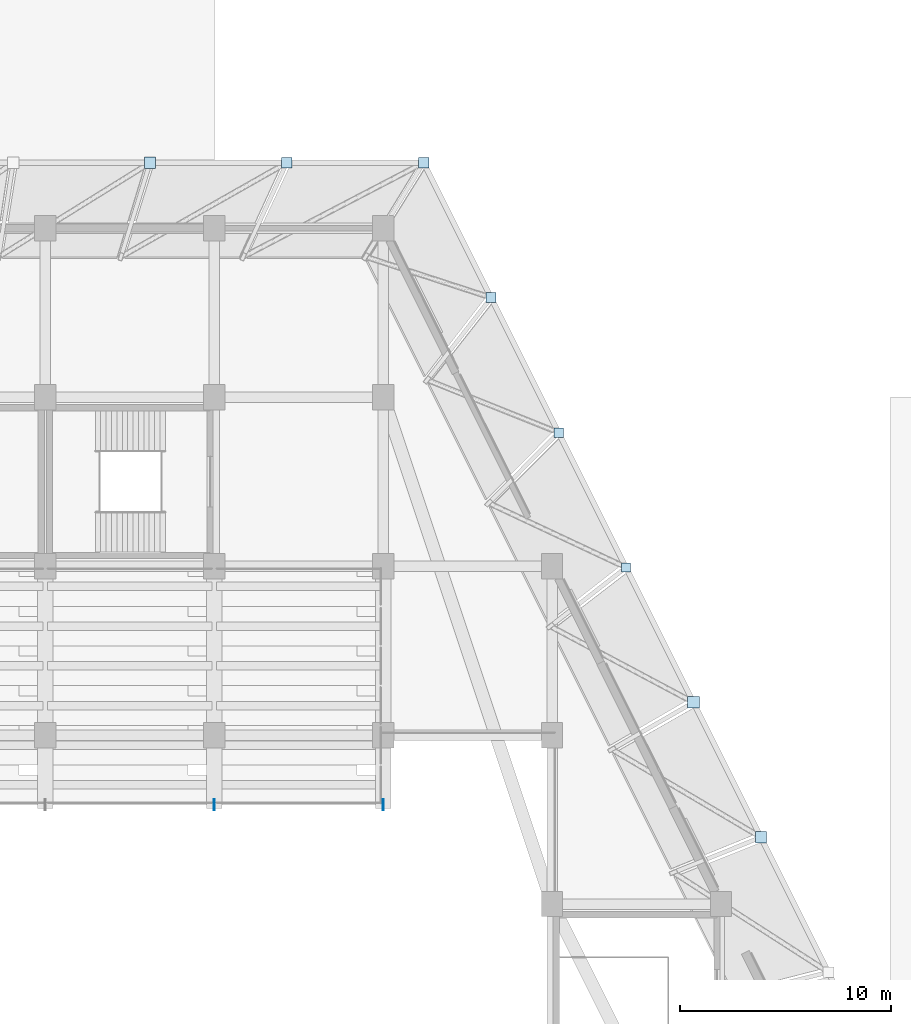
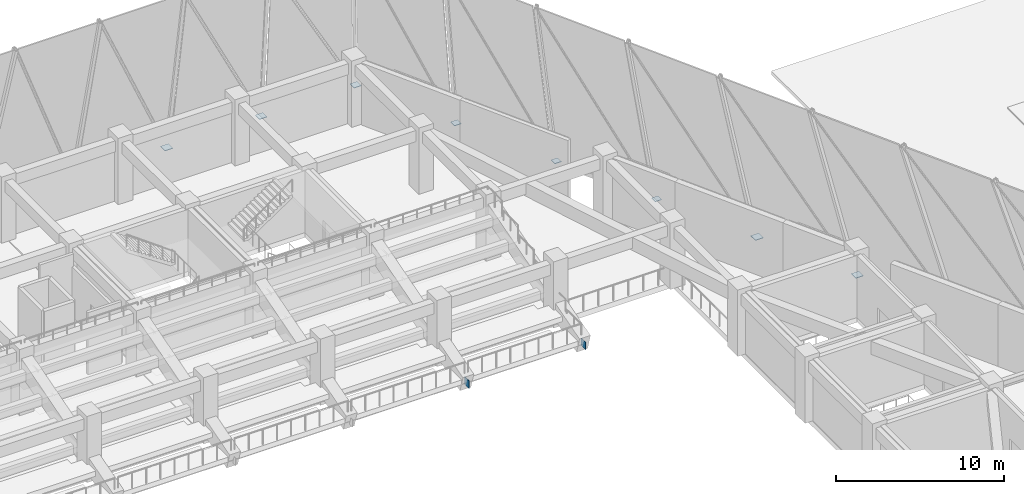
# One storey, part 14 of 24: 10 plates.
"""IFC4 building model written with IfcOpenShell, lengths in metres."""

from ifc_helpers import new_model, si_unit, direction, frame, origin, origin_2d, place, context, subcontext, project, spatial, rectangle, extrude, material, layer, layer_set, type_object, element, save


model = new_model("IFC4")

# Units and contexts
model_context = context("Model", 3, precision=1e-05, world=origin(), true_north=direction((0.0, 1.0)))
body_context = subcontext(model_context, "Body", "Model", "MODEL_VIEW")
ifc_project = project(units=[si_unit("LENGTHUNIT", "METRE"), si_unit("AREAUNIT", "SQUARE_METRE"), si_unit("VOLUMEUNIT", "CUBIC_METRE"), si_unit("PLANEANGLEUNIT", "RADIAN"), si_unit("MASSUNIT", "GRAM", prefix="KILO")], contexts=[model_context])

# Site, building, storey
site_placement = place(None, origin())
site = spatial("IfcSite", under=ifc_project, at=site_placement, CompositionType="ELEMENT")
building_placement = place(site_placement, origin())
building = spatial("IfcBuilding", under=site, at=building_placement, Name="Tazarka Park Arena", CompositionType="ELEMENT")
storey_placement = place(building_placement, frame((0.0, 0.0, 15.0)))
storey = spatial("IfcBuildingStorey", under=building, at=storey_placement, Name="L03", CompositionType="ELEMENT", Elevation=15.0)

# Plates
ifc_material_1 = material(Name="Steel S460", Category="steel")
ifc_layer_1 = layer(ifc_material_1, 0.031982421875, Name="Steel S460")
ifc_layer_set_1 = layer_set([ifc_layer_1], Name="Steel S460")
plate_type_1 = type_object("IfcPlateType", Name="PLT-PL-12", PredefinedType="USERDEFINED", material=ifc_layer_set_1)
for number, where, z_axis, x_axis, name in (
    (1, (104.0, 84.699951171875, 0.060546875), (0.0, 0.0, 1.0), (1.0, 0.0, 0.0), "RKP-N-13-2"),
    (2, (112.0, 84.699951171875, 0.060546875), (0.0, 0.0, 1.0), (1.0, 0.0, 0.0), "RKP-N-14-2"),
):
    element("IfcPlate", number, at=place(storey_placement, frame(where, z_axis=z_axis, x_axis=x_axis)), inside=storey, type_object=plate_type_1, Name=name, ObjectType="STIFFENER", PredefinedType="USERDEFINED", context=body_context, shape_type="SweptSolid", body=[
        extrude(rectangle(XDim=0.031982421875, YDim=0.5400390625, at=origin_2d()), origin(), (0.0, 0.0, 1.0), 0.5400390625),
    ])
ifc_material_2 = material(Name="Steel S460", Category="steel")
ifc_layer_2 = layer(ifc_material_2, 0.028076171875, Name="Steel S460")
ifc_layer_set_2 = layer_set([ifc_layer_2], Name="Steel S460")
plate_type_2 = type_object("IfcPlateType", Name="PLT-PL-13", PredefinedType="USERDEFINED", material=ifc_layer_set_2)
plate_1_placement = place(storey_placement, frame((123.497314453125, 95.9375, -0.01416015625), z_axis=(0.0, 0.0, 1.0), x_axis=(1.0, 0.0, 0.0)))
element("IfcPlate", 3, at=plate_1_placement, inside=storey, type_object=plate_type_2, Name="GMP-W-21", ObjectType="STIFFENER", PredefinedType="USERDEFINED", context=body_context, shape_type="SweptSolid", body=[
    extrude(rectangle(XDim=0.43994140625, YDim=0.43994140625, at=origin_2d()), origin(), (0.0, 0.0, 1.0), 0.028076171875),
])
ifc_material_3 = material(Name="Steel S460", Category="steel")
ifc_layer_3 = layer(ifc_material_3, 0.029052734375, Name="Steel S460")
ifc_layer_set_3 = layer_set([ifc_layer_3], Name="Steel S460")
plate_type_3 = type_object("IfcPlateType", Name="PLT-PL-16", PredefinedType="USERDEFINED", material=ifc_layer_set_3)
plate_2_placement = place(storey_placement, frame((120.303466796875, 102.324951171875, -0.0146484375), z_axis=(0.0, 0.0, 1.0), x_axis=(1.0, 0.0, 0.0)))
element("IfcPlate", 4, at=plate_2_placement, inside=storey, type_object=plate_type_3, Name="GMP-W-22", ObjectType="STIFFENER", PredefinedType="USERDEFINED", context=body_context, shape_type="SweptSolid", body=[
    extrude(rectangle(XDim=0.449951171875, YDim=0.449951171875, at=origin_2d()), origin(), (0.0, 0.0, 1.0), 0.029052734375),
])
ifc_material_4 = material(Name="Steel S460", Category="steel")
ifc_layer_4 = layer(ifc_material_4, 0.031005859375, Name="Steel S460")
ifc_layer_set_4 = layer_set([ifc_layer_4], Name="Steel S460")
plate_type_4 = type_object("IfcPlateType", Name="PLT-PL-17", PredefinedType="USERDEFINED", material=ifc_layer_set_4)
plate_3_placement = place(storey_placement, frame((117.109619140625, 108.71240234375, -0.015625), z_axis=(0.0, 0.0, 1.0), x_axis=(1.0, 0.0, 0.0)))
element("IfcPlate", 5, at=plate_3_placement, inside=storey, type_object=plate_type_4, Name="GMP-W-23", ObjectType="STIFFENER", PredefinedType="USERDEFINED", context=body_context, shape_type="SweptSolid", body=[
    extrude(rectangle(XDim=0.469970703125, YDim=0.469970703125, at=origin_2d()), origin(), (0.0, 0.0, 1.0), 0.031005859375),
])
ifc_material_5 = material(Name="Steel S460", Category="steel")
ifc_layer_5 = layer(ifc_material_5, 0.032958984375, Name="Steel S460")
ifc_layer_set_5 = layer_set([ifc_layer_5], Name="Steel S460")
plate_type_5 = type_object("IfcPlateType", Name="PLT-PL-18", PredefinedType="USERDEFINED", material=ifc_layer_set_5)
plate_4_placement = place(storey_placement, frame((113.916015625, 115.10009765625, -0.0166015625), z_axis=(0.0, 0.0, 1.0), x_axis=(1.0, 0.0, 0.0)))
element("IfcPlate", 6, at=plate_4_placement, inside=storey, type_object=plate_type_5, Name="GMP-W-24", ObjectType="STIFFENER", PredefinedType="USERDEFINED", context=body_context, shape_type="SweptSolid", body=[
    extrude(rectangle(XDim=0.489990234375, YDim=0.489990234375, at=origin_2d()), origin(), (0.0, 0.0, 1.0), 0.032958984375),
])
ifc_material_6 = material(Name="Steel S460", Category="steel")
ifc_layer_6 = layer(ifc_material_6, 0.034912109375, Name="Steel S460")
ifc_layer_set_6 = layer_set([ifc_layer_6], Name="Steel S460")
plate_type_6 = type_object("IfcPlateType", Name="PLT-PL-19", PredefinedType="USERDEFINED", material=ifc_layer_set_6)
plate_5_placement = place(storey_placement, frame((107.43701171875, 115.10009765625, -0.017578125), z_axis=(0.0, 0.0, 1.0), x_axis=(1.0, 0.0, 0.0)))
element("IfcPlate", 7, at=plate_5_placement, inside=storey, type_object=plate_type_6, Name="GMP-W-25", ObjectType="STIFFENER", PredefinedType="USERDEFINED", context=body_context, shape_type="SweptSolid", body=[
    extrude(rectangle(XDim=0.510009765625, YDim=0.510009765625, at=origin_2d()), origin(), (0.0, 0.0, 1.0), 0.034912109375),
])
ifc_material_7 = material(Name="Steel S460", Category="steel")
ifc_layer_7 = layer(ifc_material_7, 0.037109375, Name="Steel S460")
ifc_layer_set_7 = layer_set([ifc_layer_7], Name="Steel S460")
plate_type_7 = type_object("IfcPlateType", Name="PLT-PL-20", PredefinedType="USERDEFINED", material=ifc_layer_set_7)
for number, where, z_axis, x_axis, name in (
    (8, (129.884521484375, 83.16259765625, -0.0185546875), (0.0, 0.0, 1.0), (1.0, 0.0, 0.0), "GMP-W-19"),
    (9, (100.9580078125, 115.10009765625, -0.0185546875), (0.0, 0.0, 1.0), (1.0, 0.0, 0.0), "GMP-W-26"),
):
    element("IfcPlate", number, at=place(storey_placement, frame(where, z_axis=z_axis, x_axis=x_axis)), inside=storey, type_object=plate_type_7, Name=name, ObjectType="STIFFENER", PredefinedType="USERDEFINED", context=body_context, shape_type="SweptSolid", body=[
        extrude(rectangle(XDim=0.530029296875, YDim=0.530029296875, at=origin_2d()), origin(), (0.0, 0.0, 1.0), 0.037109375),
    ])
ifc_material_8 = material(Name="Steel S460", Category="steel")
ifc_layer_8 = layer(ifc_material_8, 0.0390625, Name="Steel S460")
ifc_layer_set_8 = layer_set([ifc_layer_8], Name="Steel S460")
plate_type_8 = type_object("IfcPlateType", Name="PLT-PL-21", PredefinedType="USERDEFINED", material=ifc_layer_set_8)
plate_6_placement = place(storey_placement, frame((126.69091796875, 89.550048828125, -0.01953125), z_axis=(0.0, 0.0, 1.0), x_axis=(1.0, 0.0, 0.0)))
element("IfcPlate", 10, at=plate_6_placement, inside=storey, type_object=plate_type_8, Name="GMP-W-20", ObjectType="STIFFENER", PredefinedType="USERDEFINED", context=body_context, shape_type="SweptSolid", body=[
    extrude(rectangle(XDim=0.550048828125, YDim=0.550048828125, at=origin_2d()), origin(), (0.0, 0.0, 1.0), 0.0390625),
])

save(model, "model.ifc")
